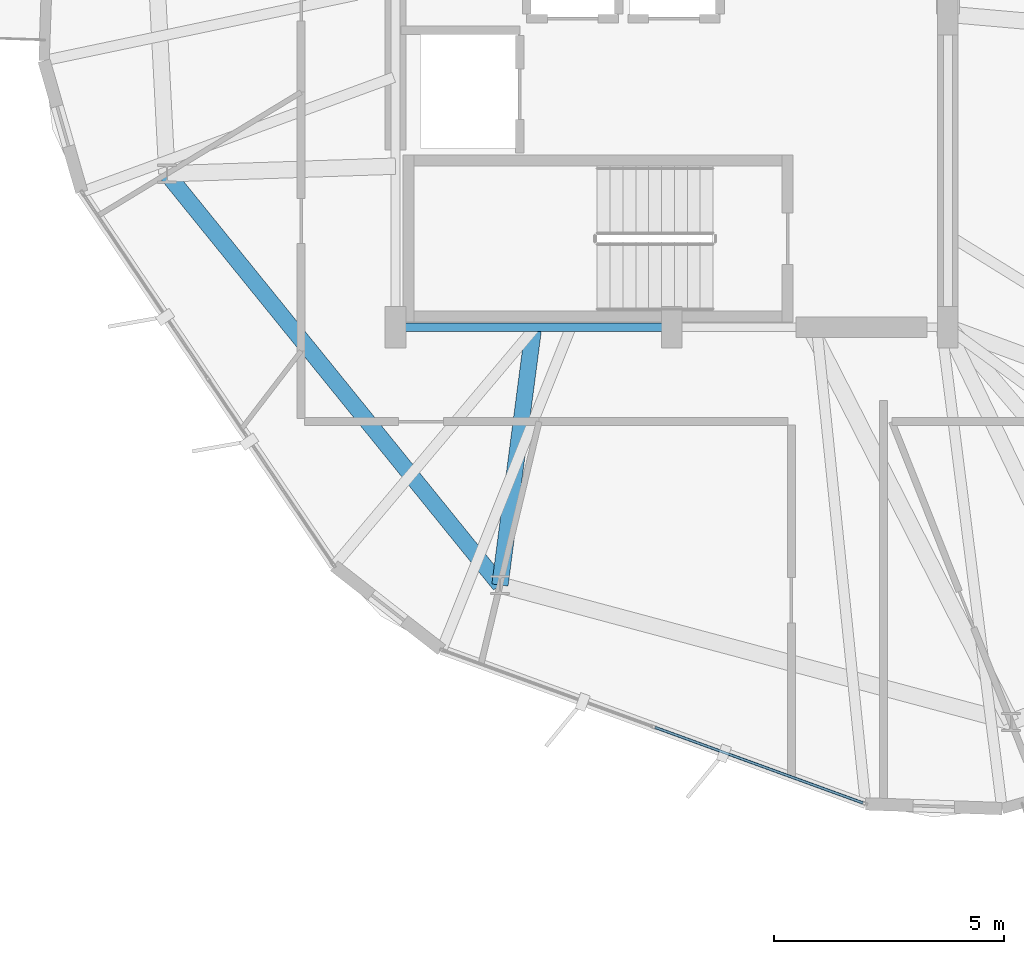
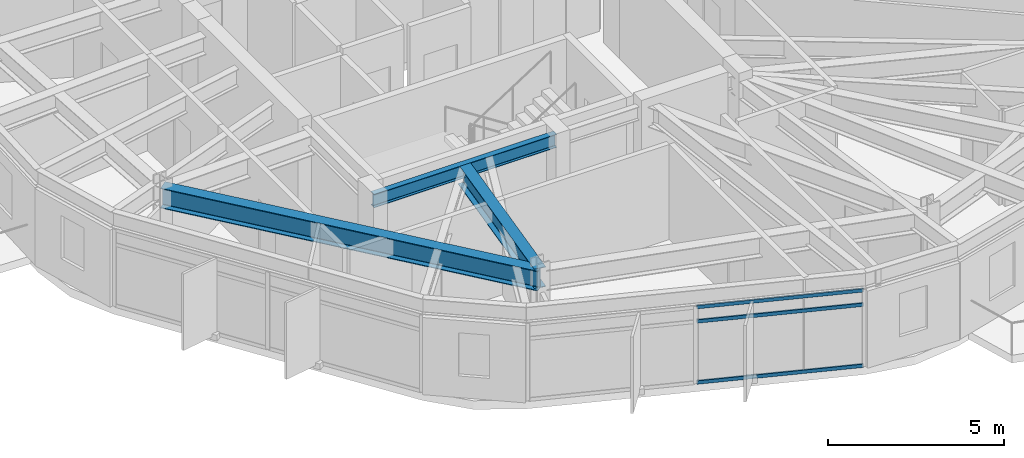
# One storey, part 4 of 30: 3 beams, 3 members, 1 element without a shape of its own.
"""IFC4 building model written with IfcOpenShell, lengths in metres."""

from ifc_helpers import new_model, si_unit, direction, frame, origin, origin_2d, place, context, subcontext, project, spatial, hollow_rectangle, i_section, extrude, material, layer, layer_set, material_profile, profile_set, type_object, element, aggregate, save


model = new_model("IFC4")

# Units and contexts
model_context = context("Model", 3, precision=1e-05, world=origin(), true_north=direction((0.0, 1.0)))
body_context = subcontext(model_context, "Body", "Model", "MODEL_VIEW")
ifc_project = project(units=[si_unit("LENGTHUNIT", "METRE"), si_unit("AREAUNIT", "SQUARE_METRE"), si_unit("VOLUMEUNIT", "CUBIC_METRE"), si_unit("PLANEANGLEUNIT", "RADIAN"), si_unit("MASSUNIT", "GRAM", prefix="KILO")], contexts=[model_context])

# Site, building, storey
site_placement = place(None, origin())
site = spatial("IfcSite", under=ifc_project, at=site_placement, CompositionType="ELEMENT")
building_placement = place(site_placement, origin())
building = spatial("IfcBuilding", under=site, at=building_placement, Name="Soratama Intermodal Tower", CompositionType="ELEMENT")
storey_placement = place(building_placement, frame((0.0, 0.0, 223.0)))
storey = spatial("IfcBuildingStorey", under=building, at=storey_placement, Name="L56", CompositionType="ELEMENT", Elevation=223.0)

# Beams
ifc_material_1 = material(Name="Structural steel ASTM A992 Grade 50", Category="steel")
ifc_material_profile_1 = material_profile(ifc_material_1, i_section(OverallWidth=0.19091796875, OverallDepth=0.4599609375, WebThickness=0.010009765625, FlangeThickness=0.01611328125, FilletRadius=0.010986328125, at=origin_2d()), Name="W18X55")
ifc_profile_set_1 = profile_set([ifc_material_profile_1], Name="Structural steel ASTM A992 Grade 50")
beam_type_1 = type_object("IfcBeamType", Name="BM-FLR-W18X55", PredefinedType="BEAM", material=ifc_profile_set_1)
beam_1_placement = place(storey_placement, frame((32.60009765625, 15.0, 3.070068359375), z_axis=(1.0, 0.0, 0.0), x_axis=(0.0, 1.0, 0.0)))
element("IfcBeam", 1, at=beam_1_placement, inside=storey, type_object=beam_type_1, Name="BM-L56-CRING-01", PredefinedType="BEAM", context=body_context, shape_type="SweptSolid", body=[
    extrude(i_section(OverallWidth=0.19091796875, OverallDepth=0.4599609375, WebThickness=0.010009765625, FlangeThickness=0.01611328125, FilletRadius=0.010986328125, at=origin_2d()), origin(), (0.0, 0.0, 1.0), 6.0),
])
ifc_material_2 = material(Name="Structural steel ASTM A992 Grade 50", Category="steel")
ifc_material_profile_2 = material_profile(ifc_material_2, i_section(OverallWidth=0.35498046875, OverallDepth=0.695068359375, WebThickness=0.015380859375, FlangeThickness=0.02490234375, FilletRadius=0.01611328125, at=origin_2d()), Name="W27X146")
ifc_profile_set_2 = profile_set([ifc_material_profile_2], Name="Structural steel ASTM A992 Grade 50")
beam_type_2 = type_object("IfcBeamType", Name="BM-RING-W27X146", PredefinedType="BEAM", material=ifc_profile_set_2)
beam_2_placement = place(storey_placement, frame((27.635009765625, 18.333984375, 2.952392578125), z_axis=(0.629384551156, -0.777094001242, 0.0), x_axis=(0.777094001242, 0.629384551156, 0.0)))
element("IfcBeam", 2, at=beam_2_placement, inside=storey, type_object=beam_type_2, Name="BM-L56-RING-06", PredefinedType="BEAM", context=body_context, shape_type="SweptSolid", body=[
    extrude(i_section(OverallWidth=0.35498046875, OverallDepth=0.695068359375, WebThickness=0.015380859375, FlangeThickness=0.02490234375, FilletRadius=0.01611328125, at=origin_2d()), origin(), (0.0, 0.0, 1.0), 11.49560546875),
])
beam_3_placement = place(storey_placement, frame((35.60009765625, 15.0, 2.952392578125), z_axis=(-0.129280033694, -0.991608124658, 0.0), x_axis=(0.991608124658, -0.129280033694, 0.0)))
element("IfcBeam", 3, at=beam_3_placement, inside=storey, type_object=beam_type_2, Name="BM-L56-RAD-07", PredefinedType="BEAM", context=body_context, shape_type="SweptSolid", body=[
    extrude(i_section(OverallWidth=0.35498046875, OverallDepth=0.695068359375, WebThickness=0.015380859375, FlangeThickness=0.02490234375, FilletRadius=0.01611328125, at=origin_2d()), origin(), (0.0, 0.0, 1.0), 5.646484375),
])

# Curtain wall, members
ifc_material_3 = material(Name="Double-glazed aluminium curtain wall", Category="aluminium")
ifc_layer = layer(ifc_material_3, 0.159912109375)
ifc_layer_set = layer_set([ifc_layer], Name="Double-glazed aluminium curtain wall")
curtain_wall_type = type_object("IfcCurtainWallType", Name="CW-SYS-5", PredefinedType="NOTDEFINED", material=ifc_layer_set)
curtain_wall_placement = place(storey_placement, origin())
curtain_wall = element("IfcCurtainWall", 4, at=curtain_wall_placement, inside=storey, type_object=curtain_wall_type, Name="L56 Faceted Curtain Wall F06", PredefinedType="NOTDEFINED")
ifc_material_4 = material(Name="Anodised aluminium AA 6063-T6", Category="aluminium")
ifc_material_profile_3 = material_profile(ifc_material_4, hollow_rectangle(XDim=0.06005859375, YDim=0.1298828125, WallThickness=0.0048828125, InnerFilletRadius=0.0048828125, OuterFilletRadius=0.010009765625, at=origin_2d()), Name="CWT130X60X5")
ifc_profile_set_3 = profile_set([ifc_material_profile_3], Name="Anodised aluminium AA 6063-T6")
member_type = type_object("IfcMemberType", Name="TT-CWT-2", PredefinedType="USERDEFINED", material=ifc_profile_set_3)
member_1_placement = place(storey_placement, frame((38.236328125, 6.30908203125, 0.030029296875), z_axis=(0.939814174693, -0.34168599188, 0.0), x_axis=(0.34168599188, 0.939814174693, 0.0)))
member_1 = element("IfcMember", 5, at=member_1_placement, type_object=member_type, Name="CW-5 transom 2.1", ObjectType="TRANSOM", PredefinedType="USERDEFINED", context=body_context, shape_type="SweptSolid", body=[
    extrude(hollow_rectangle(XDim=0.06005859375, YDim=0.1298828125, WallThickness=0.0048828125, InnerFilletRadius=0.0048828125, OuterFilletRadius=0.010009765625, at=origin_2d()), origin(), (0.0, 0.0, 1.0), 4.80859375),
])
member_2_placement = place(storey_placement, frame((38.236328125, 6.30908203125, 2.14990234375), z_axis=(0.939814174693, -0.34168599188, 0.0), x_axis=(0.34168599188, 0.939814174693, 0.0)))
member_2 = element("IfcMember", 6, at=member_2_placement, type_object=member_type, Name="CW-5 transom 2.2", ObjectType="TRANSOM", PredefinedType="USERDEFINED", context=body_context, shape_type="SweptSolid", body=[
    extrude(hollow_rectangle(XDim=0.06005859375, YDim=0.1298828125, WallThickness=0.0048828125, InnerFilletRadius=0.0048828125, OuterFilletRadius=0.010009765625, at=origin_2d()), origin(), (0.0, 0.0, 1.0), 4.80859375),
])
member_3_placement = place(storey_placement, frame((38.236328125, 6.30908203125, 2.64892578125), z_axis=(0.939814174693, -0.34168599188, 0.0), x_axis=(0.34168599188, 0.939814174693, 0.0)))
member_3 = element("IfcMember", 7, at=member_3_placement, type_object=member_type, Name="CW-5 transom 2.3", ObjectType="TRANSOM", PredefinedType="USERDEFINED", context=body_context, shape_type="SweptSolid", body=[
    extrude(hollow_rectangle(XDim=0.06005859375, YDim=0.1298828125, WallThickness=0.0048828125, InnerFilletRadius=0.0048828125, OuterFilletRadius=0.010009765625, at=origin_2d()), origin(), (0.0, 0.0, 1.0), 4.80859375),
])
aggregate(curtain_wall, [member_1, member_2, member_3])

save(model, "model.ifc")
